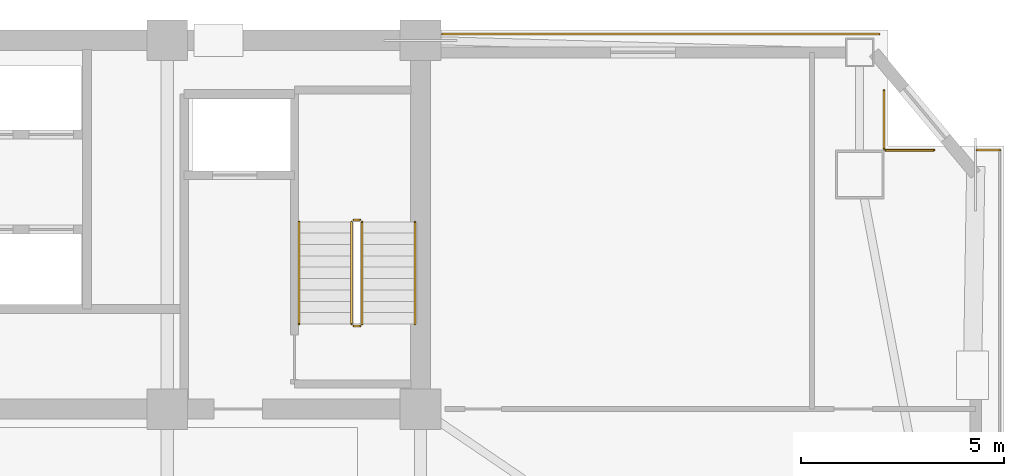
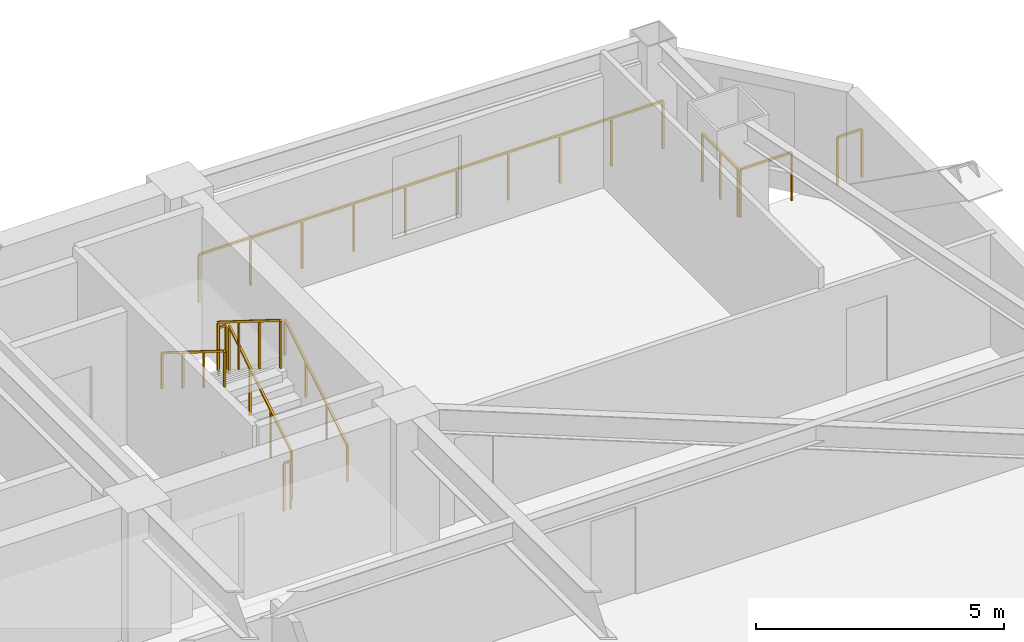
# One storey, part 15 of 15: 10 railings.
"""IFC4 building model written with IfcOpenShell, lengths in metres."""

from ifc_helpers import new_model, si_unit, direction, frame, origin, origin_2d, place, context, subcontext, project, spatial, rectangle, extrude, material, type_object, element, save


model = new_model("IFC4")

# Units and contexts
model_context = context("Model", 3, precision=1e-05, world=origin(), true_north=direction((0.0, 1.0)))
body_context = subcontext(model_context, "Body", "Model", "MODEL_VIEW")
ifc_project = project(units=[si_unit("LENGTHUNIT", "METRE"), si_unit("AREAUNIT", "SQUARE_METRE"), si_unit("VOLUMEUNIT", "CUBIC_METRE"), si_unit("PLANEANGLEUNIT", "RADIAN"), si_unit("MASSUNIT", "GRAM", prefix="KILO")], contexts=[model_context])

# Site, building, storey
site_placement = place(None, origin())
site = spatial("IfcSite", under=ifc_project, at=site_placement, CompositionType="ELEMENT")
building_placement = place(site_placement, origin())
building = spatial("IfcBuilding", under=site, at=building_placement, Name="Giltprow Tower", CompositionType="ELEMENT")
storey_placement = place(building_placement, frame((0.0, 0.0, 180.699951171875)))
storey = spatial("IfcBuildingStorey", under=building, at=storey_placement, Name="L45", CompositionType="ELEMENT", Elevation=180.699951171875)

# Railings
ifc_material = material(Name="Anodized bronze", Category="metal")
railing_type_1 = type_object("IfcRailingType", Name="RAIL-BALC-GUARD-1200", PredefinedType="BALUSTRADE", material=ifc_material)
railing_1_placement = place(storey_placement, frame((51.0849609375, 46.699951171875, 0.0)))
element("IfcRailing", 1, at=railing_1_placement, inside=storey, type_object=railing_type_1, Name="L45 Corner Apron Edge Balustrade 10", PredefinedType="BALUSTRADE", context=body_context, shape_type="SweptSolid", body=[
    extrude(rectangle(XDim=0.048095703125, YDim=0.048095703125, at=origin_2d()), frame((0.0, 0.0, 1.17578125), z_axis=(1.0, 0.0, 0.0), x_axis=(0.0, 1.0, 0.0)), (0.0, 0.0, 1.0), 10.78515625),
    extrude(rectangle(XDim=0.0419921875, YDim=0.0419921875, at=origin_2d()), origin(), (0.0, 0.0, 1.0), 1.15185546875),
    extrude(rectangle(XDim=0.0419921875, YDim=0.0419921875, at=origin_2d()), frame((1.1982421875, 0.0, 0.0)), (0.0, 0.0, 1.0), 1.15185546875),
    extrude(rectangle(XDim=0.0419921875, YDim=0.0419921875, at=origin_2d()), frame((2.396728515625, 0.0, 0.0)), (0.0, 0.0, 1.0), 1.15185546875),
    extrude(rectangle(XDim=0.0419921875, YDim=0.0419921875, at=origin_2d()), frame((3.594970703125, 0.0, 0.0)), (0.0, 0.0, 1.0), 1.15185546875),
    extrude(rectangle(XDim=0.0419921875, YDim=0.0419921875, at=origin_2d()), frame((4.79345703125, 0.0, 0.0)), (0.0, 0.0, 1.0), 1.15185546875),
    extrude(rectangle(XDim=0.0419921875, YDim=0.0419921875, at=origin_2d()), frame((5.99169921875, 0.0, 0.0)), (0.0, 0.0, 1.0), 1.15185546875),
    extrude(rectangle(XDim=0.0419921875, YDim=0.0419921875, at=origin_2d()), frame((7.190185546875, 0.0, 0.0)), (0.0, 0.0, 1.0), 1.15185546875),
    extrude(rectangle(XDim=0.0419921875, YDim=0.0419921875, at=origin_2d()), frame((8.388427734375, 0.0, 0.0)), (0.0, 0.0, 1.0), 1.15185546875),
    extrude(rectangle(XDim=0.0419921875, YDim=0.0419921875, at=origin_2d()), frame((9.5869140625, 0.0, 0.0)), (0.0, 0.0, 1.0), 1.15185546875),
    extrude(rectangle(XDim=0.0419921875, YDim=0.0419921875, at=origin_2d()), frame((10.78515625, 0.0, 0.0)), (0.0, 0.0, 1.0), 1.15185546875),
])
railing_2_placement = place(storey_placement, frame((61.986083984375, 45.31005859375, 0.0)))
element("IfcRailing", 2, at=railing_2_placement, inside=storey, type_object=railing_type_1, Name="L45 Corner Apron Edge Balustrade 11", PredefinedType="BALUSTRADE", context=body_context, shape_type="SweptSolid", body=[
    extrude(rectangle(XDim=0.048095703125, YDim=0.048095703125, at=origin_2d()), frame((0.0, 0.0, 1.17578125), z_axis=(0.0, -1.0, 0.0), x_axis=(1.0, 0.0, 0.0)), (0.0, 0.0, 1.0), 1.43603515625),
    extrude(rectangle(XDim=0.0419921875, YDim=0.0419921875, at=origin_2d()), origin(), (0.0, 0.0, 1.0), 1.15185546875),
    extrude(rectangle(XDim=0.0419921875, YDim=0.0419921875, at=origin_2d()), frame((0.0, -0.718017578125, 0.0)), (0.0, 0.0, 1.0), 1.15185546875),
    extrude(rectangle(XDim=0.0419921875, YDim=0.0419921875, at=origin_2d()), frame((0.0, -1.43603515625, 0.0)), (0.0, 0.0, 1.0), 1.15185546875),
])
railing_3_placement = place(storey_placement, frame((62.02099609375, 43.839111328125, 0.0)))
element("IfcRailing", 3, at=railing_3_placement, inside=storey, type_object=railing_type_1, Name="L45 Corner Apron Edge Balustrade 12", PredefinedType="BALUSTRADE", context=body_context, shape_type="SweptSolid", body=[
    extrude(rectangle(XDim=0.048095703125, YDim=0.048095703125, at=origin_2d()), frame((0.0, 0.0, 1.17578125), z_axis=(1.0, 0.0, 0.0), x_axis=(0.0, 1.0, 0.0)), (0.0, 0.0, 1.0), 1.19189453125),
    extrude(rectangle(XDim=0.0419921875, YDim=0.0419921875, at=origin_2d()), origin(), (0.0, 0.0, 1.0), 1.15185546875),
    extrude(rectangle(XDim=0.0419921875, YDim=0.0419921875, at=origin_2d()), frame((1.19189453125, 0.0, 0.0)), (0.0, 0.0, 1.0), 1.15185546875),
])
railing_4_placement = place(storey_placement, frame((64.280029296875, 43.839111328125, 0.0)))
element("IfcRailing", 4, at=railing_4_placement, inside=storey, type_object=railing_type_1, Name="L45 Corner Apron Edge Balustrade 13", PredefinedType="BALUSTRADE", context=body_context, shape_type="SweptSolid", body=[
    extrude(rectangle(XDim=0.048095703125, YDim=0.048095703125, at=origin_2d()), frame((0.0, 0.0, 1.17578125), z_axis=(1.0, 0.0, 0.0), x_axis=(0.0, 1.0, 0.0)), (0.0, 0.0, 1.0), 0.56689453125),
    extrude(rectangle(XDim=0.0419921875, YDim=0.0419921875, at=origin_2d()), origin(), (0.0, 0.0, 1.0), 1.15185546875),
    extrude(rectangle(XDim=0.0419921875, YDim=0.0419921875, at=origin_2d()), frame((0.56689453125, 0.0, 0.0)), (0.0, 0.0, 1.0), 1.15185546875),
])
railing_type_2 = type_object("IfcRailingType", Name="RAIL-STAIR-GUARD-1200", PredefinedType="GUARDRAIL", material=ifc_material)
railing_5_placement = place(storey_placement, frame((49.110107421875, 39.550048828125, 0.175048828125)))
element("IfcRailing", 5, at=railing_5_placement, inside=storey, type_object=railing_type_2, Name="L45 ST-3 stair guard 1", PredefinedType="GUARDRAIL", context=body_context, shape_type="SweptSolid", body=[
    extrude(rectangle(XDim=0.048095703125, YDim=0.048095703125, at=origin_2d()), frame((0.0, 0.0, 1.17578125), z_axis=(0.0, 0.848007534815, 0.529984170421), x_axis=(-1.0, 0.0, 0.0)), (0.0, 0.0, 1.0), 2.9716796875),
    extrude(rectangle(XDim=0.0419921875, YDim=0.0419921875, at=origin_2d()), origin(), (0.0, 0.0, 1.0), 1.15185546875),
    extrude(rectangle(XDim=0.0419921875, YDim=0.0419921875, at=origin_2d()), frame((0.0, 0.840087890625, 0.52490234375)), (0.0, 0.0, 1.0), 1.15185546875),
    extrude(rectangle(XDim=0.0419921875, YDim=0.0419921875, at=origin_2d()), frame((0.0, 1.679931640625, 1.050048828125)), (0.0, 0.0, 1.0), 1.15185546875),
    extrude(rectangle(XDim=0.0419921875, YDim=0.0419921875, at=origin_2d()), frame((0.0, 2.52001953125, 1.574951171875)), (0.0, 0.0, 1.0), 1.15185546875),
])
railing_6_placement = place(storey_placement, frame((49.06005859375, 42.1201171875, 1.75)))
element("IfcRailing", 6, at=railing_6_placement, inside=storey, type_object=railing_type_2, Name="L45 ST-3 stair guard 2", PredefinedType="GUARDRAIL", context=body_context, shape_type="SweptSolid", body=[
    extrude(rectangle(XDim=0.048095703125, YDim=0.048095703125, at=origin_2d()), frame((0.0, 0.0, 1.17578125), z_axis=(-1.0, 0.0, 0.0), x_axis=(0.0, -1.0, 0.0)), (0.0, 0.0, 1.0), 0.16015625),
    extrude(rectangle(XDim=0.0419921875, YDim=0.0419921875, at=origin_2d()), origin(), (0.0, 0.0, 1.0), 1.15185546875),
    extrude(rectangle(XDim=0.0419921875, YDim=0.0419921875, at=origin_2d()), frame((-0.16015625, 0.0, 0.0)), (0.0, 0.0, 1.0), 1.15185546875),
])
railing_7_placement = place(storey_placement, frame((48.85009765625, 42.070068359375, 1.925048828125)))
element("IfcRailing", 7, at=railing_7_placement, inside=storey, type_object=railing_type_2, Name="L45 ST-3 stair guard 3", PredefinedType="GUARDRAIL", context=body_context, shape_type="SweptSolid", body=[
    extrude(rectangle(XDim=0.048095703125, YDim=0.048095703125, at=origin_2d()), frame((0.0, 0.0, 1.17578125), z_axis=(0.0, -0.848007534815, 0.529984170421), x_axis=(1.0, 0.0, 0.0)), (0.0, 0.0, 1.0), 2.9716796875),
    extrude(rectangle(XDim=0.0419921875, YDim=0.0419921875, at=origin_2d()), origin(), (0.0, 0.0, 1.0), 1.15185546875),
    extrude(rectangle(XDim=0.0419921875, YDim=0.0419921875, at=origin_2d()), frame((0.0, -0.840087890625, 0.52490234375)), (0.0, 0.0, 1.0), 1.15185546875),
    extrude(rectangle(XDim=0.0419921875, YDim=0.0419921875, at=origin_2d()), frame((0.0, -1.679931640625, 1.050048828125)), (0.0, 0.0, 1.0), 1.15185546875),
    extrude(rectangle(XDim=0.0419921875, YDim=0.0419921875, at=origin_2d()), frame((0.0, -2.52001953125, 1.574951171875)), (0.0, 0.0, 1.0), 1.15185546875),
])
railing_8_placement = place(storey_placement, frame((49.06005859375, 39.5, 0.0)))
element("IfcRailing", 8, at=railing_8_placement, inside=storey, type_object=railing_type_2, Name="L45 ST-3 stair guard 4", PredefinedType="GUARDRAIL", context=body_context, shape_type="SweptSolid", body=[
    extrude(rectangle(XDim=0.048095703125, YDim=0.048095703125, at=origin_2d()), frame((0.0, 0.0, 1.17578125), z_axis=(-1.0, 0.0, 0.0), x_axis=(0.0, -1.0, 0.0)), (0.0, 0.0, 1.0), 0.16015625),
    extrude(rectangle(XDim=0.0419921875, YDim=0.0419921875, at=origin_2d()), origin(), (0.0, 0.0, 1.0), 1.15185546875),
    extrude(rectangle(XDim=0.0419921875, YDim=0.0419921875, at=origin_2d()), frame((-0.16015625, 0.0, 0.0)), (0.0, 0.0, 1.0), 1.15185546875),
])
railing_type_3 = type_object("IfcRailingType", Name="RAIL-STAIR-HAND-900", PredefinedType="HANDRAIL", material=ifc_material)
railing_9_placement = place(storey_placement, frame((50.409912109375, 39.550048828125, 0.175048828125)))
element("IfcRailing", 9, at=railing_9_placement, inside=storey, type_object=railing_type_3, Name="L45 ST-3 stair handrail 1", PredefinedType="HANDRAIL", context=body_context, shape_type="SweptSolid", body=[
    extrude(rectangle(XDim=0.048095703125, YDim=0.048095703125, at=origin_2d()), frame((0.0, 0.0, 0.8759765625), z_axis=(0.0, 0.848007534815, 0.529984170421), x_axis=(-1.0, 0.0, 0.0)), (0.0, 0.0, 1.0), 2.9716796875),
    extrude(rectangle(XDim=0.0419921875, YDim=0.0419921875, at=origin_2d()), origin(), (0.0, 0.0, 1.0), 0.851806640625),
    extrude(rectangle(XDim=0.0419921875, YDim=0.0419921875, at=origin_2d()), frame((0.0, 0.840087890625, 0.52490234375)), (0.0, 0.0, 1.0), 0.851806640625),
    extrude(rectangle(XDim=0.0419921875, YDim=0.0419921875, at=origin_2d()), frame((0.0, 1.679931640625, 1.050048828125)), (0.0, 0.0, 1.0), 0.851806640625),
    extrude(rectangle(XDim=0.0419921875, YDim=0.0419921875, at=origin_2d()), frame((0.0, 2.52001953125, 1.574951171875)), (0.0, 0.0, 1.0), 0.851806640625),
])
railing_10_placement = place(storey_placement, frame((47.550048828125, 42.070068359375, 1.925048828125)))
element("IfcRailing", 10, at=railing_10_placement, inside=storey, type_object=railing_type_3, Name="L45 ST-3 stair handrail 2", PredefinedType="HANDRAIL", context=body_context, shape_type="SweptSolid", body=[
    extrude(rectangle(XDim=0.048095703125, YDim=0.048095703125, at=origin_2d()), frame((0.0, 0.0, 0.8759765625), z_axis=(0.0, -0.848007534815, 0.529984170421), x_axis=(1.0, 0.0, 0.0)), (0.0, 0.0, 1.0), 2.9716796875),
    extrude(rectangle(XDim=0.0419921875, YDim=0.0419921875, at=origin_2d()), origin(), (0.0, 0.0, 1.0), 0.851806640625),
    extrude(rectangle(XDim=0.0419921875, YDim=0.0419921875, at=origin_2d()), frame((0.0, -0.840087890625, 0.52490234375)), (0.0, 0.0, 1.0), 0.851806640625),
    extrude(rectangle(XDim=0.0419921875, YDim=0.0419921875, at=origin_2d()), frame((0.0, -1.679931640625, 1.050048828125)), (0.0, 0.0, 1.0), 0.851806640625),
    extrude(rectangle(XDim=0.0419921875, YDim=0.0419921875, at=origin_2d()), frame((0.0, -2.52001953125, 1.574951171875)), (0.0, 0.0, 1.0), 0.851806640625),
])

save(model, "model.ifc")
